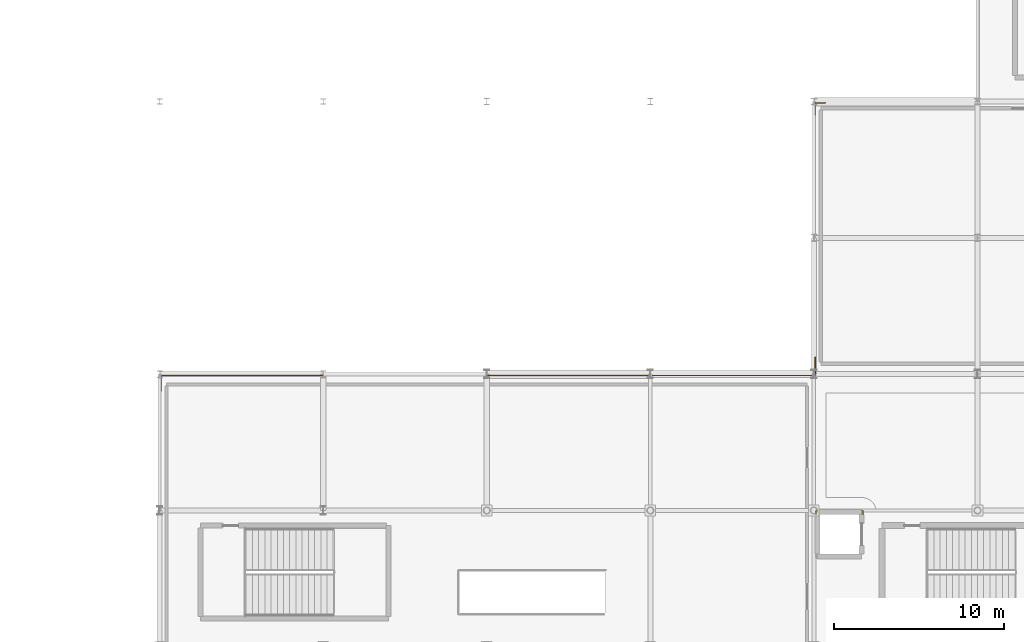
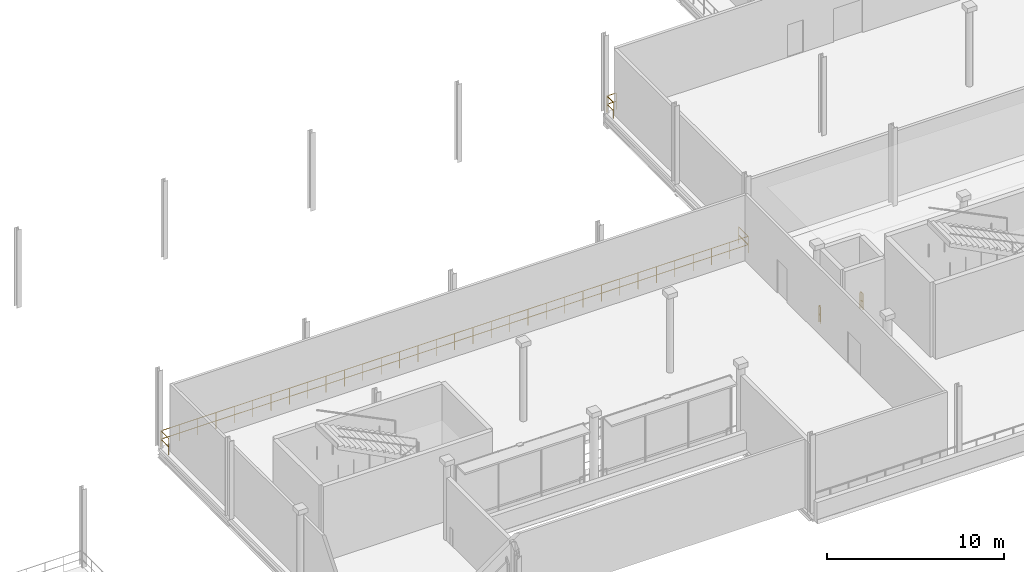
# One storey, part 119 of 129: 4 railings.
"""IFC4 building model written with IfcOpenShell, lengths in metres."""

from ifc_helpers import new_model, si_unit, direction, frame, origin, origin_2d, place, context, subcontext, project, spatial, circle, extrude, material, type_object, element, save


model = new_model("IFC4")

# Units and contexts
model_context = context("Model", 3, precision=1e-05, world=origin(), true_north=direction((0.0, 1.0)))
body_context = subcontext(model_context, "Body", "Model", "MODEL_VIEW")
ifc_project = project(units=[si_unit("LENGTHUNIT", "METRE"), si_unit("AREAUNIT", "SQUARE_METRE"), si_unit("VOLUMEUNIT", "CUBIC_METRE"), si_unit("PLANEANGLEUNIT", "RADIAN"), si_unit("MASSUNIT", "GRAM", prefix="KILO")], contexts=[model_context])

# Site, building, storey
site_placement = place(None, origin())
site = spatial("IfcSite", under=ifc_project, at=site_placement, CompositionType="ELEMENT")
building_placement = place(site_placement, origin())
building = spatial("IfcBuilding", under=site, at=building_placement, Name="Danafjord Basin Convention Centre", CompositionType="ELEMENT")
storey_placement = place(building_placement, frame((0.0, 0.0, 6.0)))
storey = spatial("IfcBuildingStorey", under=building, at=storey_placement, Name="L01", CompositionType="ELEMENT", Elevation=6.0)

# Railings
ifc_material_1 = material(Name="Laminated structural glass and stainless steel", Category="steel")
railing_type_1 = type_object("IfcRailingType", Name="RL-BAL-GLS", PredefinedType="BALUSTRADE", material=ifc_material_1)
railing_1_placement = place(storey_placement, frame((144.080078125, 23.028076171875, 0.0)))
element("IfcRailing", 1, at=railing_1_placement, inside=storey, type_object=railing_type_1, Name="L01 safety guard balustrade 21", PredefinedType="BALUSTRADE", context=body_context, shape_type="SweptSolid", body=[
    extrude(circle(Radius=0.02392578125, at=origin_2d()), frame((0.0, 0.0, 1.1259765625), z_axis=(0.0, 1.0, 0.0), x_axis=(-1.0, 0.0, 0.0)), (0.0, 0.0, 1.0), 0.891845703125),
    extrude(circle(Radius=0.02392578125, at=origin_2d()), frame((0.0, 0.0, 0.55078125), z_axis=(0.0, 1.0, 0.0), x_axis=(-1.0, 0.0, 0.0)), (0.0, 0.0, 1.0), 0.891845703125),
    extrude(circle(Radius=0.02392578125, at=origin_2d()), frame((0.0, 0.891845703125, 1.1259765625), z_axis=(1.0, 0.0, 0.0), x_axis=(0.0, 1.0, 0.0)), (0.0, 0.0, 1.0), 38.39990234375),
    extrude(circle(Radius=0.02392578125, at=origin_2d()), frame((0.0, 0.891845703125, 0.55078125), z_axis=(1.0, 0.0, 0.0), x_axis=(0.0, 1.0, 0.0)), (0.0, 0.0, 1.0), 38.39990234375),
    extrude(circle(Radius=0.02392578125, at=origin_2d()), frame((38.39990234375, 0.891845703125, 1.1259765625), z_axis=(0.0, 1.0, 0.0), x_axis=(-1.0, 0.0, 0.0)), (0.0, 0.0, 1.0), 1.066162109375),
    extrude(circle(Radius=0.02392578125, at=origin_2d()), frame((38.39990234375, 0.891845703125, 0.55078125), z_axis=(0.0, 1.0, 0.0), x_axis=(-1.0, 0.0, 0.0)), (0.0, 0.0, 1.0), 1.066162109375),
    extrude(circle(Radius=0.02099609375, at=origin_2d()), origin(), (0.0, 0.0, 1.0), 1.099853515625),
    extrude(circle(Radius=0.02099609375, at=origin_2d()), frame((0.0, 0.891845703125, 0.0)), (0.0, 0.0, 1.0), 1.099853515625),
    extrude(circle(Radius=0.02099609375, at=origin_2d()), frame((1.199951171875, 0.891845703125, 0.0)), (0.0, 0.0, 1.0), 1.099853515625),
    extrude(circle(Radius=0.02099609375, at=origin_2d()), frame((2.39990234375, 0.891845703125, 0.0)), (0.0, 0.0, 1.0), 1.099853515625),
    extrude(circle(Radius=0.02099609375, at=origin_2d()), frame((3.60009765625, 0.891845703125, 0.0)), (0.0, 0.0, 1.0), 1.099853515625),
    extrude(circle(Radius=0.02099609375, at=origin_2d()), frame((4.800048828125, 0.891845703125, 0.0)), (0.0, 0.0, 1.0), 1.099853515625),
    extrude(circle(Radius=0.02099609375, at=origin_2d()), frame((6.0, 0.891845703125, 0.0)), (0.0, 0.0, 1.0), 1.099853515625),
    extrude(circle(Radius=0.02099609375, at=origin_2d()), frame((7.199951171875, 0.891845703125, 0.0)), (0.0, 0.0, 1.0), 1.099853515625),
    extrude(circle(Radius=0.02099609375, at=origin_2d()), frame((8.39990234375, 0.891845703125, 0.0)), (0.0, 0.0, 1.0), 1.099853515625),
    extrude(circle(Radius=0.02099609375, at=origin_2d()), frame((9.60009765625, 0.891845703125, 0.0)), (0.0, 0.0, 1.0), 1.099853515625),
    extrude(circle(Radius=0.02099609375, at=origin_2d()), frame((10.800048828125, 0.891845703125, 0.0)), (0.0, 0.0, 1.0), 1.099853515625),
    extrude(circle(Radius=0.02099609375, at=origin_2d()), frame((12.0, 0.891845703125, 0.0)), (0.0, 0.0, 1.0), 1.099853515625),
    extrude(circle(Radius=0.02099609375, at=origin_2d()), frame((13.199951171875, 0.891845703125, 0.0)), (0.0, 0.0, 1.0), 1.099853515625),
    extrude(circle(Radius=0.02099609375, at=origin_2d()), frame((14.39990234375, 0.891845703125, 0.0)), (0.0, 0.0, 1.0), 1.099853515625),
    extrude(circle(Radius=0.02099609375, at=origin_2d()), frame((15.599853515625, 0.891845703125, 0.0)), (0.0, 0.0, 1.0), 1.099853515625),
    extrude(circle(Radius=0.02099609375, at=origin_2d()), frame((16.800048828125, 0.891845703125, 0.0)), (0.0, 0.0, 1.0), 1.099853515625),
    extrude(circle(Radius=0.02099609375, at=origin_2d()), frame((18.0, 0.891845703125, 0.0)), (0.0, 0.0, 1.0), 1.099853515625),
    extrude(circle(Radius=0.02099609375, at=origin_2d()), frame((19.199951171875, 0.891845703125, 0.0)), (0.0, 0.0, 1.0), 1.099853515625),
    extrude(circle(Radius=0.02099609375, at=origin_2d()), frame((20.39990234375, 0.891845703125, 0.0)), (0.0, 0.0, 1.0), 1.099853515625),
    extrude(circle(Radius=0.02099609375, at=origin_2d()), frame((21.599853515625, 0.891845703125, 0.0)), (0.0, 0.0, 1.0), 1.099853515625),
    extrude(circle(Radius=0.02099609375, at=origin_2d()), frame((22.800048828125, 0.891845703125, 0.0)), (0.0, 0.0, 1.0), 1.099853515625),
    extrude(circle(Radius=0.02099609375, at=origin_2d()), frame((24.0, 0.891845703125, 0.0)), (0.0, 0.0, 1.0), 1.099853515625),
    extrude(circle(Radius=0.02099609375, at=origin_2d()), frame((25.199951171875, 0.891845703125, 0.0)), (0.0, 0.0, 1.0), 1.099853515625),
    extrude(circle(Radius=0.02099609375, at=origin_2d()), frame((26.39990234375, 0.891845703125, 0.0)), (0.0, 0.0, 1.0), 1.099853515625),
    extrude(circle(Radius=0.02099609375, at=origin_2d()), frame((27.599853515625, 0.891845703125, 0.0)), (0.0, 0.0, 1.0), 1.099853515625),
    extrude(circle(Radius=0.02099609375, at=origin_2d()), frame((28.7998046875, 0.891845703125, 0.0)), (0.0, 0.0, 1.0), 1.099853515625),
    extrude(circle(Radius=0.02099609375, at=origin_2d()), frame((30.0, 0.891845703125, 0.0)), (0.0, 0.0, 1.0), 1.099853515625),
    extrude(circle(Radius=0.02099609375, at=origin_2d()), frame((31.199951171875, 0.891845703125, 0.0)), (0.0, 0.0, 1.0), 1.099853515625),
    extrude(circle(Radius=0.02099609375, at=origin_2d()), frame((32.39990234375, 0.891845703125, 0.0)), (0.0, 0.0, 1.0), 1.099853515625),
    extrude(circle(Radius=0.02099609375, at=origin_2d()), frame((33.599853515625, 0.891845703125, 0.0)), (0.0, 0.0, 1.0), 1.099853515625),
    extrude(circle(Radius=0.02099609375, at=origin_2d()), frame((34.7998046875, 0.891845703125, 0.0)), (0.0, 0.0, 1.0), 1.099853515625),
    extrude(circle(Radius=0.02099609375, at=origin_2d()), frame((36.0, 0.891845703125, 0.0)), (0.0, 0.0, 1.0), 1.099853515625),
    extrude(circle(Radius=0.02099609375, at=origin_2d()), frame((37.199951171875, 0.891845703125, 0.0)), (0.0, 0.0, 1.0), 1.099853515625),
    extrude(circle(Radius=0.02099609375, at=origin_2d()), frame((38.39990234375, 0.891845703125, 0.0)), (0.0, 0.0, 1.0), 1.099853515625),
    extrude(circle(Radius=0.02099609375, at=origin_2d()), frame((38.39990234375, 1.9580078125, 0.0)), (0.0, 0.0, 1.0), 1.099853515625),
])
railing_2_placement = place(storey_placement, frame((182.47998046875, 39.212890625, 0.0)))
element("IfcRailing", 2, at=railing_2_placement, inside=storey, type_object=railing_type_1, Name="L01 safety guard balustrade 22", PredefinedType="BALUSTRADE", context=body_context, shape_type="SweptSolid", body=[
    extrude(circle(Radius=0.02392578125, at=origin_2d()), frame((0.0, 0.0, 1.1259765625), z_axis=(0.0, 1.0, 0.0), x_axis=(-1.0, 0.0, 0.0)), (0.0, 0.0, 1.0), 0.70703125),
    extrude(circle(Radius=0.02392578125, at=origin_2d()), frame((0.0, 0.0, 0.55078125), z_axis=(0.0, 1.0, 0.0), x_axis=(-1.0, 0.0, 0.0)), (0.0, 0.0, 1.0), 0.70703125),
    extrude(circle(Radius=0.02392578125, at=origin_2d()), frame((0.0, 0.70703125, 1.1259765625), z_axis=(1.0, 0.0, 0.0), x_axis=(0.0, 1.0, 0.0)), (0.0, 0.0, 1.0), 0.60009765625),
    extrude(circle(Radius=0.02392578125, at=origin_2d()), frame((0.0, 0.70703125, 0.55078125), z_axis=(1.0, 0.0, 0.0), x_axis=(0.0, 1.0, 0.0)), (0.0, 0.0, 1.0), 0.60009765625),
    extrude(circle(Radius=0.02099609375, at=origin_2d()), origin(), (0.0, 0.0, 1.0), 1.099853515625),
    extrude(circle(Radius=0.02099609375, at=origin_2d()), frame((0.0, 0.70703125, 0.0)), (0.0, 0.0, 1.0), 1.099853515625),
    extrude(circle(Radius=0.02099609375, at=origin_2d()), frame((0.60009765625, 0.70703125, 0.0)), (0.0, 0.0, 1.0), 1.099853515625),
])
railing_3_placement = place(storey_placement, frame((185.280029296875, 15.764892578125, 0.0)))
element("IfcRailing", 3, at=railing_3_placement, inside=storey, type_object=railing_type_1, Name="L01 safety guard balustrade 74", PredefinedType="BALUSTRADE", context=body_context, shape_type="SweptSolid", body=[
    extrude(circle(Radius=0.02392578125, at=origin_2d()), frame((0.0, 0.0, 1.1259765625), z_axis=(0.0, 1.0, 0.0), x_axis=(-1.0, 0.0, 0.0)), (0.0, 0.0, 1.0), 0.215087890625),
    extrude(circle(Radius=0.02392578125, at=origin_2d()), frame((0.0, 0.0, 0.55078125), z_axis=(0.0, 1.0, 0.0), x_axis=(-1.0, 0.0, 0.0)), (0.0, 0.0, 1.0), 0.215087890625),
    extrude(circle(Radius=0.02392578125, at=origin_2d()), frame((0.0, 0.215087890625, 1.1259765625), z_axis=(-1.0, 0.0, 0.0), x_axis=(0.0, -1.0, 0.0)), (0.0, 0.0, 1.0), 0.080078125),
    extrude(circle(Radius=0.02392578125, at=origin_2d()), frame((0.0, 0.215087890625, 0.55078125), z_axis=(-1.0, 0.0, 0.0), x_axis=(0.0, -1.0, 0.0)), (0.0, 0.0, 1.0), 0.080078125),
    extrude(circle(Radius=0.02099609375, at=origin_2d()), origin(), (0.0, 0.0, 1.0), 1.099853515625),
    extrude(circle(Radius=0.02099609375, at=origin_2d()), frame((0.0, 0.215087890625, 0.0)), (0.0, 0.0, 1.0), 1.099853515625),
    extrude(circle(Radius=0.02099609375, at=origin_2d()), frame((-0.080078125, 0.215087890625, 0.0)), (0.0, 0.0, 1.0), 1.099853515625),
])
ifc_material_2 = material(Name="Galvanised and powder-coated steel S355", Category="steel")
railing_type_2 = type_object("IfcRailingType", Name="RL-BAL-STL", PredefinedType="BALUSTRADE", material=ifc_material_2)
railing_4_placement = place(storey_placement, frame((182.60009765625, 15.97998046875, 0.0)))
element("IfcRailing", 4, at=railing_4_placement, inside=storey, type_object=railing_type_2, Name="L01 safety guard balustrade 75", PredefinedType="BALUSTRADE", context=body_context, shape_type="SweptSolid", body=[
    extrude(circle(Radius=0.02392578125, at=origin_2d()), frame((0.0, 0.0, 1.1259765625), z_axis=(-1.0, 0.0, 0.0), x_axis=(0.0, -1.0, 0.0)), (0.0, 0.0, 1.0), 0.080078125),
    extrude(circle(Radius=0.02392578125, at=origin_2d()), frame((0.0, 0.0, 0.55078125), z_axis=(-1.0, 0.0, 0.0), x_axis=(0.0, -1.0, 0.0)), (0.0, 0.0, 1.0), 0.080078125),
    extrude(circle(Radius=0.02392578125, at=origin_2d()), frame((-0.080078125, 0.0, 1.1259765625), z_axis=(0.0, -1.0, 0.0), x_axis=(1.0, 0.0, 0.0)), (0.0, 0.0, 1.0), 0.215087890625),
    extrude(circle(Radius=0.02392578125, at=origin_2d()), frame((-0.080078125, 0.0, 0.55078125), z_axis=(0.0, -1.0, 0.0), x_axis=(1.0, 0.0, 0.0)), (0.0, 0.0, 1.0), 0.215087890625),
    extrude(circle(Radius=0.02099609375, at=origin_2d()), origin(), (0.0, 0.0, 1.0), 1.099853515625),
    extrude(circle(Radius=0.02099609375, at=origin_2d()), frame((-0.080078125, 0.0, 0.0)), (0.0, 0.0, 1.0), 1.099853515625),
    extrude(circle(Radius=0.02099609375, at=origin_2d()), frame((-0.080078125, -0.215087890625, 0.0)), (0.0, 0.0, 1.0), 1.099853515625),
])

save(model, "model.ifc")
